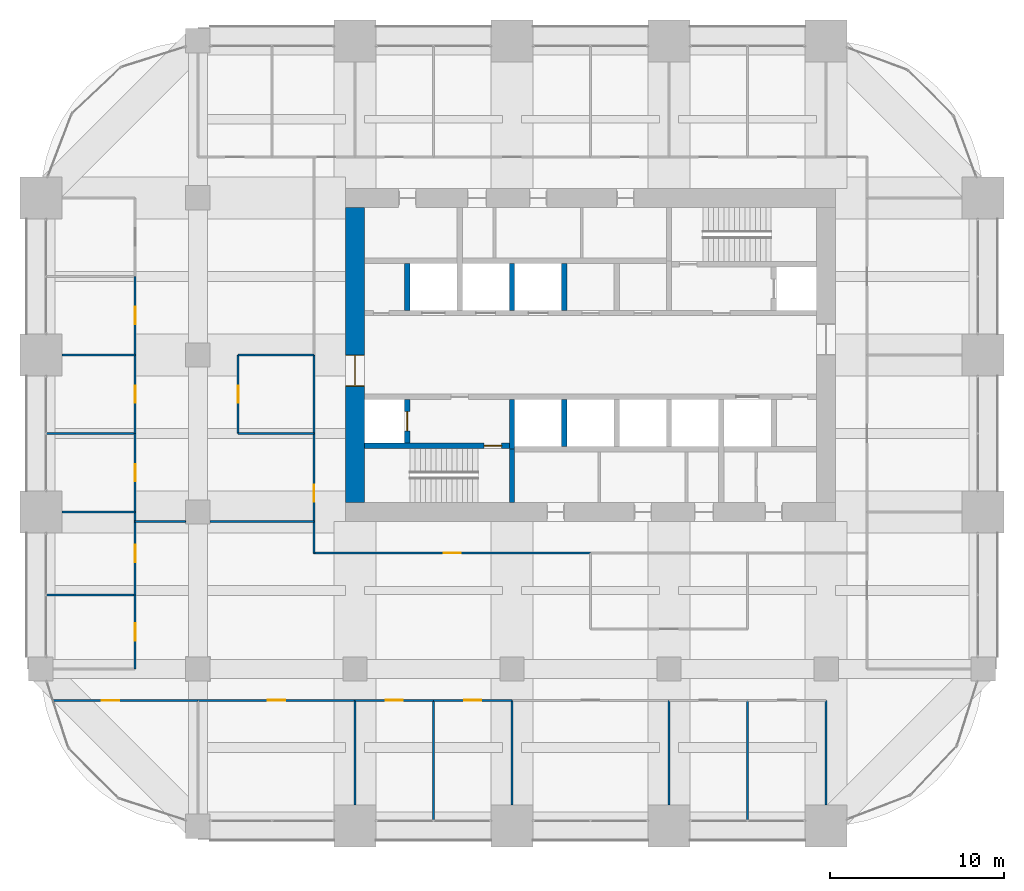
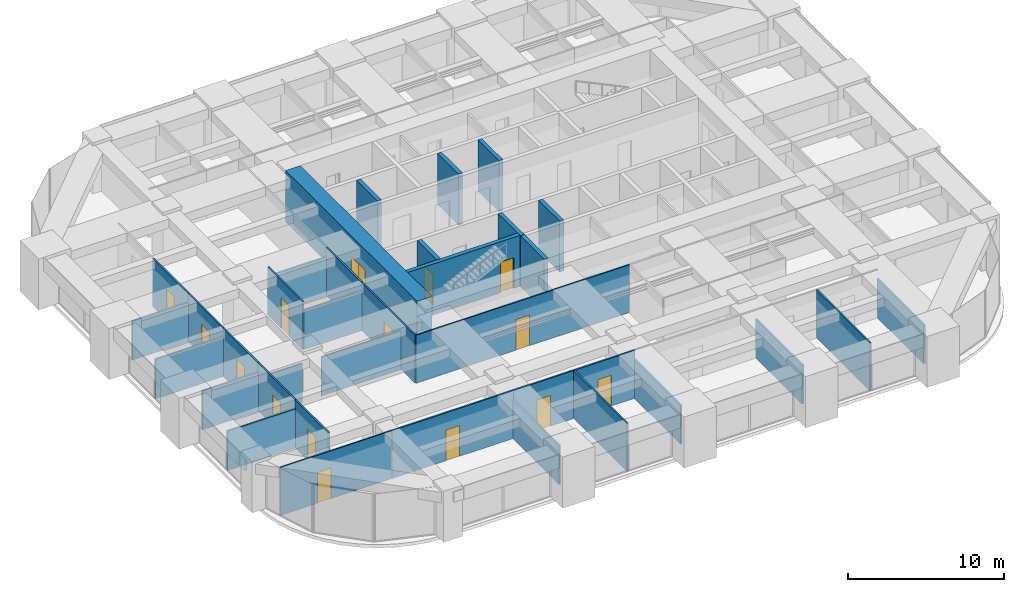
# One storey, part 30 of 35: 36 walls, 15 doors, 15 openings.
"""IFC4 building model written with IfcOpenShell, lengths in metres."""

from ifc_helpers import new_model, si_unit, direction, frame, frame_2d, origin, place, context, subcontext, project, spatial, rectangle, extrude, material, layer, layer_set, type_object, element, fill, save


model = new_model("IFC4")

# Units and contexts
model_context = context("Model", 3, precision=1e-05, world=origin(), true_north=direction((0.0, 1.0)))
body_context = subcontext(model_context, "Body", "Model", "MODEL_VIEW")
ifc_project = project(units=[si_unit("LENGTHUNIT", "METRE"), si_unit("AREAUNIT", "SQUARE_METRE"), si_unit("VOLUMEUNIT", "CUBIC_METRE"), si_unit("PLANEANGLEUNIT", "RADIAN"), si_unit("MASSUNIT", "GRAM", prefix="KILO")], contexts=[model_context])

# Site, building, storey
site_placement = place(None, origin())
site = spatial("IfcSite", under=ifc_project, at=site_placement, CompositionType="ELEMENT")
building_placement = place(site_placement, origin())
building = spatial("IfcBuilding", under=site, at=building_placement, Name="Zorevar Civic Tower", CompositionType="ELEMENT")
storey_placement = place(building_placement, frame((0.0, 0.0, 222.199951171875)))
storey = spatial("IfcBuildingStorey", under=building, at=storey_placement, Name="L54", CompositionType="ELEMENT", Elevation=222.199951171875)

# Wall, opening, door
ifc_material_1 = material(Name="Concrete C50/60", Category="concrete")
ifc_layer_1 = layer(ifc_material_1, 1.10009765625)
ifc_layer_set_1 = layer_set([ifc_layer_1], Name="Core wall 1100")
wall_type_1 = type_object("IfcWallType", Name="Core wall 1100", PredefinedType="SHEAR", material=ifc_layer_set_1)
wall_1_placement = place(storey_placement, frame((18.0, 35.449951171875, 0.0), z_axis=(0.0, 0.0, 1.0), x_axis=(0.0, -1.0, 0.0)))
wall_1 = element("IfcWall", 1, at=wall_1_placement, inside=storey, type_object=wall_type_1, Name="Core wall W L54", PredefinedType="SHEAR", context=body_context, shape_type="SweptSolid", body=[
    extrude(rectangle(XDim=16.89990234375, YDim=1.10009765625, at=frame_2d((8.449951171875, 0.0))), origin(), (0.0, 0.0, 1.0), 4.0),
])
opening_1_placement = place(wall_1_placement, frame((8.449951171875, 0.0, 0.0)))
opening_1 = element("IfcOpeningElement", 2, at=opening_1_placement, cuts=wall_1, Name="Opening L54.01", PredefinedType="OPENING", context=body_context, shape_type="SweptSolid", body=[
    extrude(rectangle(XDim=1.800048828125, YDim=2.39990234375, at=frame_2d((0.89990234375, 1.199951171875))), frame((0.0, 0.56005859375, 0.0), z_axis=(0.0, -1.0, 0.0), x_axis=(1.0, 0.0, 0.0)), (0.0, 0.0, 1.0), 1.1201171875),
])
ifc_material_2 = material(Name="Steel door set", Category="steel")
door_type_1 = type_object("IfcDoorType", Name="Fire door FD2 1800x2400", OperationType="DOUBLE_DOOR_DOUBLE_SWING", PredefinedType="DOOR", material=ifc_material_2)
door_1_placement = place(opening_1_placement, origin())
door_1 = element("IfcDoor", 3, at=door_1_placement, inside=storey, type_object=door_type_1, Name="Door L54 00", OperationType="DOUBLE_DOOR_DOUBLE_SWING", OverallHeight=2.39990234375, OverallWidth=1.800048828125, PredefinedType="DOOR", context=body_context, shape_type="SweptSolid", body=[
    extrude(rectangle(XDim=1.800048828125, YDim=2.39990234375, at=frame_2d((0.89990234375, 1.199951171875))), frame((0.0, 0.030029296875, 0.0), z_axis=(0.0, -1.0, 0.0), x_axis=(1.0, 0.0, 0.0)), (0.0, 0.0, 1.0), 0.06005859375),
    extrude(rectangle(XDim=0.04, YDim=2.39990234375, at=frame_2d((0.02001953125, 1.199951171875))), frame((0.0, 0.5498046875, 0.0), z_axis=(0.0, -1.0, 0.0), x_axis=(1.0, 0.0, 0.0)), (0.0, 0.0, 1.0), 1.099609375),
    extrude(rectangle(XDim=0.04, YDim=2.39990234375, at=frame_2d((1.780029296875, 1.199951171875))), frame((0.0, 0.5498046875, 0.0), z_axis=(0.0, -1.0, 0.0), x_axis=(1.0, 0.0, 0.0)), (0.0, 0.0, 1.0), 1.099609375),
    extrude(rectangle(XDim=1.800048828125, YDim=0.04, at=frame_2d((0.89990234375, 2.3798828125))), frame((0.0, 0.5498046875, 0.0), z_axis=(0.0, -1.0, 0.0), x_axis=(1.0, 0.0, 0.0)), (0.0, 0.0, 1.0), 1.099609375),
])
fill(opening_1, door_1)

ifc_material_3 = material(Name="Laminated glass in black aluminium frame", Category="aluminium")
ifc_layer_2 = layer(ifc_material_3, 0.10009765625)
ifc_layer_set_2 = layer_set([ifc_layer_2], Name="Glazed partition 100")
wall_type_2 = type_object("IfcWallType", Name="Glazed partition 100", PredefinedType="PARTITIONING", material=ifc_layer_set_2)
wall_2_placement = place(storey_placement, frame((0.720458984375, 7.199951171875, 0.0), z_axis=(0.0, 0.0, 1.0), x_axis=(1.0, 0.0, 0.0)))
wall_2 = element("IfcWall", 4, at=wall_2_placement, inside=storey, type_object=wall_type_2, Name="Glazed partition 100 L54", PredefinedType="PARTITIONING", context=body_context, shape_type="SweptSolid", body=[
    extrude(rectangle(XDim=8.279541015625, YDim=0.10009765625, at=frame_2d((4.1396484375, 0.0))), origin(), (0.0, 0.0, 1.0), 3.75),
])
opening_2_placement = place(wall_2_placement, frame((2.779541015625, 0.0, 0.0)))
opening_2 = element("IfcOpeningElement", 5, at=opening_2_placement, cuts=wall_2, Name="Opening L54.23", PredefinedType="OPENING", context=body_context, shape_type="SweptSolid", body=[
    extrude(rectangle(XDim=1.0, YDim=2.39990234375, at=frame_2d((0.5, 1.199951171875))), frame((0.0, 0.06005859375, 0.0), z_axis=(0.0, -1.0, 0.0), x_axis=(1.0, 0.0, 0.0)), (0.0, 0.0, 1.0), 0.1201171875),
])
ifc_material_4 = material(Name="Timber door set", Category="wood")
door_type_2 = type_object("IfcDoorType", Name="Glazed door GD1 1000x2400", OperationType="SINGLE_SWING_LEFT", PredefinedType="DOOR", material=ifc_material_4)
door_2_placement = place(opening_2_placement, origin())
door_2 = element("IfcDoor", 6, at=door_2_placement, inside=storey, type_object=door_type_2, Name="Door L54 D1", OperationType="SINGLE_SWING_RIGHT", OverallHeight=2.39990234375, OverallWidth=1.0, PredefinedType="DOOR", context=body_context, shape_type="SweptSolid", body=[
    extrude(rectangle(XDim=1.0, YDim=2.39990234375, at=frame_2d((0.5, 1.199951171875))), frame((0.0, 0.02001953125, 0.0), z_axis=(0.0, -1.0, 0.0), x_axis=(1.0, 0.0, 0.0)), (0.0, 0.0, 1.0), 0.0400390625),
])
fill(opening_2, door_2)

wall_3_placement = place(storey_placement, frame((15.64990234375, 15.64990234375, 0.0), z_axis=(0.0, 0.0, 1.0), x_axis=(1.0, 0.0, 0.0)))
wall_3 = element("IfcWall", 7, at=wall_3_placement, inside=storey, type_object=wall_type_2, Name="Glazed partition 100 L54", PredefinedType="PARTITIONING", context=body_context, shape_type="SweptSolid", body=[
    extrude(rectangle(XDim=15.85009765625, YDim=0.10009765625, at=frame_2d((7.925048828125, 0.0))), origin(), (0.0, 0.0, 1.0), 3.75),
])
opening_3_placement = place(wall_3_placement, frame((7.425048828125, 0.0, 0.0)))
opening_3 = element("IfcOpeningElement", 8, at=opening_3_placement, cuts=wall_3, Name="Opening L54.25", PredefinedType="OPENING", context=body_context, shape_type="SweptSolid", body=[
    extrude(rectangle(XDim=1.0, YDim=2.39990234375, at=frame_2d((0.5, 1.199951171875))), frame((0.0, 0.06005859375, 0.0), z_axis=(0.0, -1.0, 0.0), x_axis=(1.0, 0.0, 0.0)), (0.0, 0.0, 1.0), 0.1201171875),
])
door_3_placement = place(opening_3_placement, origin())
door_3 = element("IfcDoor", 9, at=door_3_placement, inside=storey, type_object=door_type_2, Name="Door L54 D1", OperationType="SINGLE_SWING_RIGHT", OverallHeight=2.39990234375, OverallWidth=1.0, PredefinedType="DOOR", context=body_context, shape_type="SweptSolid", body=[
    extrude(rectangle(XDim=1.0, YDim=2.39990234375, at=frame_2d((0.5, 1.199951171875))), frame((0.0, 0.02001953125, 0.0), z_axis=(0.0, -1.0, 0.0), x_axis=(1.0, 0.0, 0.0)), (0.0, 0.0, 1.0), 0.0400390625),
])
fill(opening_3, door_3)

# Walls
wall_4_placement = place(storey_placement, frame((5.389892578125, 17.449951171875, 0.0), z_axis=(0.0, 0.0, 1.0), x_axis=(1.0, 0.0, 0.0)))
element("IfcWall", 10, at=wall_4_placement, inside=storey, type_object=wall_type_2, Name="Glazed partition 100 L54", PredefinedType="PARTITIONING", context=body_context, shape_type="SweptSolid", body=[
    extrude(rectangle(XDim=2.91015625, YDim=0.10009765625, at=frame_2d((1.455078125, 0.0))), origin(), (0.0, 0.0, 1.0), 3.050048828125),
])
wall_5_placement = place(storey_placement, frame((9.699951171875, 17.449951171875, 0.0), z_axis=(0.0, 0.0, 1.0), x_axis=(1.0, 0.0, 0.0)))
element("IfcWall", 11, at=wall_5_placement, inside=storey, type_object=wall_type_2, Name="Glazed partition 100 L54", PredefinedType="PARTITIONING", context=body_context, shape_type="SweptSolid", body=[
    extrude(rectangle(XDim=5.949951171875, YDim=0.10009765625, at=frame_2d((2.97509765625, 0.0))), origin(), (0.0, 0.0, 1.0), 3.050048828125),
])

# Wall, opening, door
wall_6_placement = place(storey_placement, frame((15.64990234375, 15.64990234375, 0.0), z_axis=(0.0, 0.0, 1.0), x_axis=(0.0, 1.0, 0.0)))
wall_6 = element("IfcWall", 12, at=wall_6_placement, inside=storey, type_object=wall_type_2, Name="Glazed partition 100 L54", PredefinedType="PARTITIONING", context=body_context, shape_type="SweptSolid", body=[
    extrude(rectangle(XDim=6.85009765625, YDim=0.10009765625, at=frame_2d((3.425048828125, 0.0))), origin(), (0.0, 0.0, 1.0), 3.75),
])
opening_4_placement = place(wall_6_placement, frame((2.925048828125, 0.0, 0.0)))
opening_4 = element("IfcOpeningElement", 13, at=opening_4_placement, cuts=wall_6, Name="Opening L54.41", PredefinedType="OPENING", context=body_context, shape_type="SweptSolid", body=[
    extrude(rectangle(XDim=1.0, YDim=2.39990234375, at=frame_2d((0.5, 1.199951171875))), frame((0.0, 0.06005859375, 0.0), z_axis=(0.0, -1.0, 0.0), x_axis=(1.0, 0.0, 0.0)), (0.0, 0.0, 1.0), 0.1201171875),
])
door_4_placement = place(opening_4_placement, origin())
door_4 = element("IfcDoor", 14, at=door_4_placement, inside=storey, type_object=door_type_2, Name="Door L54 D1", OperationType="SINGLE_SWING_RIGHT", OverallHeight=2.39990234375, OverallWidth=1.0, PredefinedType="DOOR", context=body_context, shape_type="SweptSolid", body=[
    extrude(rectangle(XDim=1.0, YDim=2.39990234375, at=frame_2d((0.5, 1.199951171875))), frame((0.0, 0.02001953125, 0.0), z_axis=(0.0, -1.0, 0.0), x_axis=(1.0, 0.0, 0.0)), (0.0, 0.0, 1.0), 0.0400390625),
])
fill(opening_4, door_4)

ifc_material_5 = material(Name="Concrete C40/50", Category="concrete")
ifc_layer_3 = layer(ifc_material_5, 0.300048828125)
ifc_layer_set_3 = layer_set([ifc_layer_3], Name="Inner core wall 300")
wall_type_3 = type_object("IfcWallType", Name="Inner core wall 300", PredefinedType="SHEAR", material=ifc_layer_set_3)
wall_7_placement = place(storey_placement, frame((18.550048828125, 21.800048828125, 0.0), z_axis=(0.0, 0.0, 1.0), x_axis=(1.0, 0.0, 0.0)))
wall_7 = element("IfcWall", 15, at=wall_7_placement, inside=storey, type_object=wall_type_3, Name="Inner core wall S00 L54", PredefinedType="SHEAR", context=body_context, shape_type="SweptSolid", body=[
    extrude(rectangle(XDim=8.300048828125, YDim=0.300048828125, at=frame_2d((4.14990234375, 0.0))), origin(), (0.0, 0.0, 1.0), 4.0),
])
opening_5_placement = place(wall_7_placement, frame((6.85009765625, 0.0, 0.0)))
opening_5 = element("IfcOpeningElement", 16, at=opening_5_placement, cuts=wall_7, Name="Opening L54.11", PredefinedType="OPENING", context=body_context, shape_type="SweptSolid", body=[
    extrude(rectangle(XDim=1.0, YDim=2.39990234375, at=frame_2d((0.5, 1.199951171875))), frame((0.0, 0.159912109375, 0.0), z_axis=(0.0, -1.0, 0.0), x_axis=(1.0, 0.0, 0.0)), (0.0, 0.0, 1.0), 0.320068359375),
])
ifc_material_6 = material(Name="Steel door set", Category="steel")
door_type_3 = type_object("IfcDoorType", Name="Fire door FD1 1000x2400", OperationType="SINGLE_SWING_LEFT", PredefinedType="DOOR", material=ifc_material_6)
door_5_placement = place(opening_5_placement, origin())
door_5 = element("IfcDoor", 17, at=door_5_placement, inside=storey, type_object=door_type_3, Name="Door L54 10", OperationType="SINGLE_SWING_RIGHT", OverallHeight=2.39990234375, OverallWidth=1.0, PredefinedType="DOOR", context=body_context, shape_type="SweptSolid", body=[
    extrude(rectangle(XDim=1.0, YDim=2.39990234375, at=frame_2d((0.5, 1.199951171875))), frame((0.0, 0.030029296875, 0.0), z_axis=(0.0, -1.0, 0.0), x_axis=(1.0, 0.0, 0.0)), (0.0, 0.0, 1.0), 0.06005859375),
])
fill(opening_5, door_5)

# Wall
wall_8_placement = place(storey_placement, frame((27.0, 18.550048828125, 0.0), z_axis=(0.0, 0.0, 1.0), x_axis=(0.0, 1.0, 0.0)))
element("IfcWall", 18, at=wall_8_placement, inside=storey, type_object=wall_type_3, Name="Inner core wall S01 L54", PredefinedType="SHEAR", context=body_context, shape_type="SweptSolid", body=[
    extrude(rectangle(XDim=3.050048828125, YDim=0.300048828125, at=frame_2d((1.52490234375, 0.0))), origin(), (0.0, 0.0, 1.0), 4.0),
])

# Wall, opening, door
wall_9_placement = place(storey_placement, frame((21.0, 21.949951171875, 0.0), z_axis=(0.0, 0.0, 1.0), x_axis=(0.0, 1.0, 0.0)))
wall_9 = element("IfcWall", 19, at=wall_9_placement, inside=storey, type_object=wall_type_3, Name="Inner core wall S02 L54", PredefinedType="SHEAR", context=body_context, shape_type="SweptSolid", body=[
    extrude(rectangle(XDim=2.5, YDim=0.300048828125, at=frame_2d((1.25, 0.0))), origin(), (0.0, 0.0, 1.0), 4.0),
])
opening_6_placement = place(wall_9_placement, frame((0.699951171875, 0.0, 0.0)))
opening_6 = element("IfcOpeningElement", 20, at=opening_6_placement, cuts=wall_9, Name="Opening L54.FL1", PredefinedType="OPENING", context=body_context, shape_type="SweptSolid", body=[
    extrude(rectangle(XDim=1.10009765625, YDim=2.39990234375, at=frame_2d((0.550048828125, 1.199951171875))), frame((0.0, 0.159912109375, 0.0), z_axis=(0.0, -1.0, 0.0), x_axis=(1.0, 0.0, 0.0)), (0.0, 0.0, 1.0), 0.320068359375),
])
ifc_material_7 = material(Name="Steel door set", Category="steel")
door_type_4 = type_object("IfcDoorType", Name="Firefighting lift landing door LD3 1100x2400", OperationType="DOUBLE_DOOR_SLIDING", PredefinedType="DOOR", material=ifc_material_7)
door_6_placement = place(opening_6_placement, origin())
door_6 = element("IfcDoor", 21, at=door_6_placement, inside=storey, type_object=door_type_4, Name="Landing door FL1 L54", OperationType="DOUBLE_DOOR_SLIDING", OverallHeight=2.39990234375, OverallWidth=1.10009765625, PredefinedType="DOOR", context=body_context, shape_type="SweptSolid", body=[
    extrude(rectangle(XDim=1.10009765625, YDim=2.39990234375, at=frame_2d((0.550048828125, 1.199951171875))), frame((0.0, 0.030029296875, 0.0), z_axis=(0.0, -1.0, 0.0), x_axis=(1.0, 0.0, 0.0)), (0.0, 0.0, 1.0), 0.06005859375),
])
fill(opening_6, door_6)

# Walls
for number, where, z_axis, x_axis, name in (
    (22, (30.0, 21.75, 0.0), (0.0, 0.0, 1.0), (0.0, 1.0, 0.0), "Inner core wall S05 L54"),
    (23, (30.0, 29.550048828125, 0.0), (0.0, 0.0, 1.0), (0.0, 1.0, 0.0), "Inner core wall N06 L54"),
    (24, (27.0, 29.550048828125, 0.0), (0.0, 0.0, 1.0), (0.0, 1.0, 0.0), "Inner core wall N07 L54"),
    (25, (21.0, 29.550048828125, 0.0), (0.0, 0.0, 1.0), (0.0, 1.0, 0.0), "Inner core wall N09 L54"),
):
    element("IfcWall", number, at=place(storey_placement, frame(where, z_axis=z_axis, x_axis=x_axis)), inside=storey, type_object=wall_type_3, Name=name, PredefinedType="SHEAR", context=body_context, shape_type="SweptSolid", body=[
        extrude(rectangle(XDim=2.699951171875, YDim=0.300048828125, at=frame_2d((1.35009765625, 0.0))), origin(), (0.0, 0.0, 1.0), 4.0),
    ])
wall_10_placement = place(storey_placement, frame((27.0, 21.60009765625, 0.0), z_axis=(0.0, 0.0, 1.0), x_axis=(0.0, 1.0, 0.0)))
element("IfcWall", 26, at=wall_10_placement, inside=storey, type_object=wall_type_3, Name="Inner core wall S10 L54", PredefinedType="SHEAR", context=body_context, shape_type="SweptSolid", body=[
    extrude(rectangle(XDim=2.849853515625, YDim=0.300048828125, at=frame_2d((1.4248046875, 0.0))), origin(), (0.0, 0.0, 1.0), 4.0),
])

# Wall, opening, door
ifc_material_8 = material(Name="Gypsum board on steel studs", Category="steel")
ifc_layer_4 = layer(ifc_material_8, 0.1201171875)
ifc_layer_set_4 = layer_set([ifc_layer_4], Name="Partition 120")
wall_type_4 = type_object("IfcWallType", Name="Partition 120", PredefinedType="PARTITIONING", material=ifc_layer_set_4)
wall_11_placement = place(storey_placement, frame((9.0, 7.199951171875, 0.0), z_axis=(0.0, 0.0, 1.0), x_axis=(1.0, 0.0, 0.0)))
wall_11 = element("IfcWall", 27, at=wall_11_placement, inside=storey, type_object=wall_type_4, Name="Partition 120 L54", PredefinedType="PARTITIONING", context=body_context, shape_type="SweptSolid", body=[
    extrude(rectangle(XDim=9.0, YDim=0.1201171875, at=frame_2d((4.5, 0.0))), origin(), (0.0, 0.0, 1.0), 3.75),
])
opening_7_placement = place(wall_11_placement, frame((4.0, 0.0, 0.0)))
opening_7 = element("IfcOpeningElement", 28, at=opening_7_placement, cuts=wall_11, Name="Opening L54.17", PredefinedType="OPENING", context=body_context, shape_type="SweptSolid", body=[
    extrude(rectangle(XDim=1.0, YDim=2.39990234375, at=frame_2d((0.5, 1.199951171875))), frame((0.0, 0.070068359375, 0.0), z_axis=(0.0, -1.0, 0.0), x_axis=(1.0, 0.0, 0.0)), (0.0, 0.0, 1.0), 0.14013671875),
])
ifc_material_9 = material(Name="Timber door set", Category="wood")
door_type_5 = type_object("IfcDoorType", Name="Door D1 1000x2400", OperationType="SINGLE_SWING_LEFT", PredefinedType="DOOR", material=ifc_material_9)
door_7_placement = place(opening_7_placement, origin())
door_7 = element("IfcDoor", 29, at=door_7_placement, inside=storey, type_object=door_type_5, Name="Door L54 D1", OperationType="SINGLE_SWING_RIGHT", OverallHeight=2.39990234375, OverallWidth=1.0, PredefinedType="DOOR", context=body_context, shape_type="SweptSolid", body=[
    extrude(rectangle(XDim=1.0, YDim=2.39990234375, at=frame_2d((0.5, 1.199951171875))), frame((0.0, 0.02490234375, 0.0), z_axis=(0.0, -1.0, 0.0), x_axis=(1.0, 0.0, 0.0)), (0.0, 0.0, 1.0), 0.050048828125),
])
fill(opening_7, door_7)

wall_12_placement = place(storey_placement, frame((18.0, 7.199951171875, 0.0), z_axis=(0.0, 0.0, 1.0), x_axis=(1.0, 0.0, 0.0)))
wall_12 = element("IfcWall", 30, at=wall_12_placement, inside=storey, type_object=wall_type_4, Name="Partition 120 L54", PredefinedType="PARTITIONING", context=body_context, shape_type="SweptSolid", body=[
    extrude(rectangle(XDim=4.5, YDim=0.1201171875, at=frame_2d((2.25, 0.0))), origin(), (0.0, 0.0, 1.0), 3.75),
])
opening_8_placement = place(wall_12_placement, frame((1.75, 0.0, 0.0)))
opening_8 = element("IfcOpeningElement", 31, at=opening_8_placement, cuts=wall_12, Name="Opening L54.18", PredefinedType="OPENING", context=body_context, shape_type="SweptSolid", body=[
    extrude(rectangle(XDim=1.0, YDim=2.39990234375, at=frame_2d((0.5, 1.199951171875))), frame((0.0, 0.070068359375, 0.0), z_axis=(0.0, -1.0, 0.0), x_axis=(1.0, 0.0, 0.0)), (0.0, 0.0, 1.0), 0.14013671875),
])
door_8_placement = place(opening_8_placement, origin())
door_8 = element("IfcDoor", 32, at=door_8_placement, inside=storey, type_object=door_type_5, Name="Door L54 D1", OperationType="SINGLE_SWING_RIGHT", OverallHeight=2.39990234375, OverallWidth=1.0, PredefinedType="DOOR", context=body_context, shape_type="SweptSolid", body=[
    extrude(rectangle(XDim=1.0, YDim=2.39990234375, at=frame_2d((0.5, 1.199951171875))), frame((0.0, 0.02490234375, 0.0), z_axis=(0.0, -1.0, 0.0), x_axis=(1.0, 0.0, 0.0)), (0.0, 0.0, 1.0), 0.050048828125),
])
fill(opening_8, door_8)

wall_13_placement = place(storey_placement, frame((22.5, 7.199951171875, 0.0), z_axis=(0.0, 0.0, 1.0), x_axis=(1.0, 0.0, 0.0)))
wall_13 = element("IfcWall", 33, at=wall_13_placement, inside=storey, type_object=wall_type_4, Name="Partition 120 L54", PredefinedType="PARTITIONING", context=body_context, shape_type="SweptSolid", body=[
    extrude(rectangle(XDim=4.5, YDim=0.1201171875, at=frame_2d((2.25, 0.0))), origin(), (0.0, 0.0, 1.0), 3.75),
])
opening_9_placement = place(wall_13_placement, frame((1.75, 0.0, 0.0)))
opening_9 = element("IfcOpeningElement", 34, at=opening_9_placement, cuts=wall_13, Name="Opening L54.19", PredefinedType="OPENING", context=body_context, shape_type="SweptSolid", body=[
    extrude(rectangle(XDim=1.0, YDim=2.39990234375, at=frame_2d((0.5, 1.199951171875))), frame((0.0, 0.070068359375, 0.0), z_axis=(0.0, -1.0, 0.0), x_axis=(1.0, 0.0, 0.0)), (0.0, 0.0, 1.0), 0.14013671875),
])
door_9_placement = place(opening_9_placement, origin())
door_9 = element("IfcDoor", 35, at=door_9_placement, inside=storey, type_object=door_type_5, Name="Door L54 D1", OperationType="SINGLE_SWING_RIGHT", OverallHeight=2.39990234375, OverallWidth=1.0, PredefinedType="DOOR", context=body_context, shape_type="SweptSolid", body=[
    extrude(rectangle(XDim=1.0, YDim=2.39990234375, at=frame_2d((0.5, 1.199951171875))), frame((0.0, 0.02490234375, 0.0), z_axis=(0.0, -1.0, 0.0), x_axis=(1.0, 0.0, 0.0)), (0.0, 0.0, 1.0), 0.050048828125),
])
fill(opening_9, door_9)

# Walls
wall_14_placement = place(storey_placement, frame((0.31005859375, 13.25, 0.0), z_axis=(0.0, 0.0, 1.0), x_axis=(1.0, 0.0, 0.0)))
element("IfcWall", 36, at=wall_14_placement, inside=storey, type_object=wall_type_4, Name="Partition 120 L54", PredefinedType="PARTITIONING", context=body_context, shape_type="SweptSolid", body=[
    extrude(rectangle(XDim=5.08984375, YDim=0.1201171875, at=frame_2d((2.544921875, 0.0))), origin(), (0.0, 0.0, 1.0), 3.10009765625),
])
wall_15_placement = place(storey_placement, frame((1.199951171875, 18.0, 0.0), z_axis=(0.0, 0.0, 1.0), x_axis=(1.0, 0.0, 0.0)))
element("IfcWall", 37, at=wall_15_placement, inside=storey, type_object=wall_type_4, Name="Partition 120 L54", PredefinedType="PARTITIONING", context=body_context, shape_type="SweptSolid", body=[
    extrude(rectangle(XDim=4.199951171875, YDim=0.1201171875, at=frame_2d((2.10009765625, 0.0))), origin(), (0.0, 0.0, 1.0), 3.050048828125),
])
wall_16_placement = place(storey_placement, frame((0.31005859375, 22.5, 0.0), z_axis=(0.0, 0.0, 1.0), x_axis=(1.0, 0.0, 0.0)))
element("IfcWall", 38, at=wall_16_placement, inside=storey, type_object=wall_type_4, Name="Partition 120 L54", PredefinedType="PARTITIONING", context=body_context, shape_type="SweptSolid", body=[
    extrude(rectangle(XDim=5.08984375, YDim=0.1201171875, at=frame_2d((2.544921875, 0.0))), origin(), (0.0, 0.0, 1.0), 3.10009765625),
])
wall_17_placement = place(storey_placement, frame((11.300048828125, 22.5, 0.0), z_axis=(0.0, 0.0, 1.0), x_axis=(1.0, 0.0, 0.0)))
element("IfcWall", 39, at=wall_17_placement, inside=storey, type_object=wall_type_4, Name="Partition 120 L54", PredefinedType="PARTITIONING", context=body_context, shape_type="SweptSolid", body=[
    extrude(rectangle(XDim=4.349853515625, YDim=0.1201171875, at=frame_2d((2.1748046875, 0.0))), origin(), (0.0, 0.0, 1.0), 3.10009765625),
])
wall_18_placement = place(storey_placement, frame((1.199951171875, 27.0, 0.0), z_axis=(0.0, 0.0, 1.0), x_axis=(1.0, 0.0, 0.0)))
element("IfcWall", 40, at=wall_18_placement, inside=storey, type_object=wall_type_4, Name="Partition 120 L54", PredefinedType="PARTITIONING", context=body_context, shape_type="SweptSolid", body=[
    extrude(rectangle(XDim=4.199951171875, YDim=0.1201171875, at=frame_2d((2.10009765625, 0.0))), origin(), (0.0, 0.0, 1.0), 3.050048828125),
])
wall_19_placement = place(storey_placement, frame((11.300048828125, 27.0, 0.0), z_axis=(0.0, 0.0, 1.0), x_axis=(1.0, 0.0, 0.0)))
element("IfcWall", 41, at=wall_19_placement, inside=storey, type_object=wall_type_4, Name="Partition 120 L54", PredefinedType="PARTITIONING", context=body_context, shape_type="SweptSolid", body=[
    extrude(rectangle(XDim=4.349853515625, YDim=0.1201171875, at=frame_2d((2.1748046875, 0.0))), origin(), (0.0, 0.0, 1.0), 3.050048828125),
])

# Wall, opening, door
wall_20_placement = place(storey_placement, frame((5.39990234375, 9.0, 0.0), z_axis=(0.0, 0.0, 1.0), x_axis=(0.0, 1.0, 0.0)))
wall_20 = element("IfcWall", 42, at=wall_20_placement, inside=storey, type_object=wall_type_4, Name="Partition 120 L54", PredefinedType="PARTITIONING", context=body_context, shape_type="SweptSolid", body=[
    extrude(rectangle(XDim=4.25, YDim=0.1201171875, at=frame_2d((2.125, 0.0))), origin(), (0.0, 0.0, 1.0), 3.75),
])
opening_10_placement = place(wall_20_placement, frame((1.625, 0.0, 0.0)))
opening_10 = element("IfcOpeningElement", 43, at=opening_10_placement, cuts=wall_20, Name="Opening L54.34", PredefinedType="OPENING", context=body_context, shape_type="SweptSolid", body=[
    extrude(rectangle(XDim=1.0, YDim=2.39990234375, at=frame_2d((0.5, 1.199951171875))), frame((0.0, 0.070068359375, 0.0), z_axis=(0.0, -1.0, 0.0), x_axis=(1.0, 0.0, 0.0)), (0.0, 0.0, 1.0), 0.14013671875),
])
door_10_placement = place(opening_10_placement, origin())
door_10 = element("IfcDoor", 44, at=door_10_placement, inside=storey, type_object=door_type_5, Name="Door L54 D1", OperationType="SINGLE_SWING_LEFT", OverallHeight=2.39990234375, OverallWidth=1.0, PredefinedType="DOOR", context=body_context, shape_type="SweptSolid", body=[
    extrude(rectangle(XDim=1.0, YDim=2.39990234375, at=frame_2d((0.5, 1.199951171875))), frame((0.0, 0.02490234375, 0.0), z_axis=(0.0, -1.0, 0.0), x_axis=(1.0, 0.0, 0.0)), (0.0, 0.0, 1.0), 0.050048828125),
])
fill(opening_10, door_10)

wall_21_placement = place(storey_placement, frame((5.39990234375, 13.25, 0.0), z_axis=(0.0, 0.0, 1.0), x_axis=(0.0, 1.0, 0.0)))
wall_21 = element("IfcWall", 45, at=wall_21_placement, inside=storey, type_object=wall_type_4, Name="Partition 120 L54", PredefinedType="PARTITIONING", context=body_context, shape_type="SweptSolid", body=[
    extrude(rectangle(XDim=4.75, YDim=0.1201171875, at=frame_2d((2.375, 0.0))), origin(), (0.0, 0.0, 1.0), 3.75),
])
opening_11_placement = place(wall_21_placement, frame((1.875, 0.0, 0.0)))
opening_11 = element("IfcOpeningElement", 46, at=opening_11_placement, cuts=wall_21, Name="Opening L54.35", PredefinedType="OPENING", context=body_context, shape_type="SweptSolid", body=[
    extrude(rectangle(XDim=1.0, YDim=2.39990234375, at=frame_2d((0.5, 1.199951171875))), frame((0.0, 0.070068359375, 0.0), z_axis=(0.0, -1.0, 0.0), x_axis=(1.0, 0.0, 0.0)), (0.0, 0.0, 1.0), 0.14013671875),
])
door_11_placement = place(opening_11_placement, origin())
door_11 = element("IfcDoor", 47, at=door_11_placement, inside=storey, type_object=door_type_5, Name="Door L54 D1", OperationType="SINGLE_SWING_RIGHT", OverallHeight=2.39990234375, OverallWidth=1.0, PredefinedType="DOOR", context=body_context, shape_type="SweptSolid", body=[
    extrude(rectangle(XDim=1.0, YDim=2.39990234375, at=frame_2d((0.5, 1.199951171875))), frame((0.0, 0.02490234375, 0.0), z_axis=(0.0, -1.0, 0.0), x_axis=(1.0, 0.0, 0.0)), (0.0, 0.0, 1.0), 0.050048828125),
])
fill(opening_11, door_11)

wall_22_placement = place(storey_placement, frame((5.39990234375, 18.0, 0.0), z_axis=(0.0, 0.0, 1.0), x_axis=(0.0, 1.0, 0.0)))
wall_22 = element("IfcWall", 48, at=wall_22_placement, inside=storey, type_object=wall_type_4, Name="Partition 120 L54", PredefinedType="PARTITIONING", context=body_context, shape_type="SweptSolid", body=[
    extrude(rectangle(XDim=4.5, YDim=0.1201171875, at=frame_2d((2.25, 0.0))), origin(), (0.0, 0.0, 1.0), 3.75),
])
opening_12_placement = place(wall_22_placement, frame((1.75, 0.0, 0.0)))
opening_12 = element("IfcOpeningElement", 49, at=opening_12_placement, cuts=wall_22, Name="Opening L54.36", PredefinedType="OPENING", context=body_context, shape_type="SweptSolid", body=[
    extrude(rectangle(XDim=1.0, YDim=2.39990234375, at=frame_2d((0.5, 1.199951171875))), frame((0.0, 0.070068359375, 0.0), z_axis=(0.0, -1.0, 0.0), x_axis=(1.0, 0.0, 0.0)), (0.0, 0.0, 1.0), 0.14013671875),
])
door_12_placement = place(opening_12_placement, origin())
door_12 = element("IfcDoor", 50, at=door_12_placement, inside=storey, type_object=door_type_5, Name="Door L54 D1", OperationType="SINGLE_SWING_LEFT", OverallHeight=2.39990234375, OverallWidth=1.0, PredefinedType="DOOR", context=body_context, shape_type="SweptSolid", body=[
    extrude(rectangle(XDim=1.0, YDim=2.39990234375, at=frame_2d((0.5, 1.199951171875))), frame((0.0, 0.02490234375, 0.0), z_axis=(0.0, -1.0, 0.0), x_axis=(1.0, 0.0, 0.0)), (0.0, 0.0, 1.0), 0.050048828125),
])
fill(opening_12, door_12)

wall_23_placement = place(storey_placement, frame((5.39990234375, 22.5, 0.0), z_axis=(0.0, 0.0, 1.0), x_axis=(0.0, 1.0, 0.0)))
wall_23 = element("IfcWall", 51, at=wall_23_placement, inside=storey, type_object=wall_type_4, Name="Partition 120 L54", PredefinedType="PARTITIONING", context=body_context, shape_type="SweptSolid", body=[
    extrude(rectangle(XDim=4.5, YDim=0.1201171875, at=frame_2d((2.25, 0.0))), origin(), (0.0, 0.0, 1.0), 3.75),
])
opening_13_placement = place(wall_23_placement, frame((1.75, 0.0, 0.0)))
opening_13 = element("IfcOpeningElement", 52, at=opening_13_placement, cuts=wall_23, Name="Opening L54.37", PredefinedType="OPENING", context=body_context, shape_type="SweptSolid", body=[
    extrude(rectangle(XDim=1.0, YDim=2.39990234375, at=frame_2d((0.5, 1.199951171875))), frame((0.0, 0.070068359375, 0.0), z_axis=(0.0, -1.0, 0.0), x_axis=(1.0, 0.0, 0.0)), (0.0, 0.0, 1.0), 0.14013671875),
])
door_13_placement = place(opening_13_placement, origin())
door_13 = element("IfcDoor", 53, at=door_13_placement, inside=storey, type_object=door_type_5, Name="Door L54 D1", OperationType="SINGLE_SWING_LEFT", OverallHeight=2.39990234375, OverallWidth=1.0, PredefinedType="DOOR", context=body_context, shape_type="SweptSolid", body=[
    extrude(rectangle(XDim=1.0, YDim=2.39990234375, at=frame_2d((0.5, 1.199951171875))), frame((0.0, 0.02490234375, 0.0), z_axis=(0.0, -1.0, 0.0), x_axis=(1.0, 0.0, 0.0)), (0.0, 0.0, 1.0), 0.050048828125),
])
fill(opening_13, door_13)

wall_24_placement = place(storey_placement, frame((5.39990234375, 27.0, 0.0), z_axis=(0.0, 0.0, 1.0), x_axis=(0.0, 1.0, 0.0)))
wall_24 = element("IfcWall", 54, at=wall_24_placement, inside=storey, type_object=wall_type_4, Name="Partition 120 L54", PredefinedType="PARTITIONING", context=body_context, shape_type="SweptSolid", body=[
    extrude(rectangle(XDim=4.5, YDim=0.1201171875, at=frame_2d((2.25, 0.0))), origin(), (0.0, 0.0, 1.0), 3.75),
])
opening_14_placement = place(wall_24_placement, frame((1.75, 0.0, 0.0)))
opening_14 = element("IfcOpeningElement", 55, at=opening_14_placement, cuts=wall_24, Name="Opening L54.38", PredefinedType="OPENING", context=body_context, shape_type="SweptSolid", body=[
    extrude(rectangle(XDim=1.0, YDim=2.39990234375, at=frame_2d((0.5, 1.199951171875))), frame((0.0, 0.070068359375, 0.0), z_axis=(0.0, -1.0, 0.0), x_axis=(1.0, 0.0, 0.0)), (0.0, 0.0, 1.0), 0.14013671875),
])
door_14_placement = place(opening_14_placement, origin())
door_14 = element("IfcDoor", 56, at=door_14_placement, inside=storey, type_object=door_type_5, Name="Door L54 D1", OperationType="SINGLE_SWING_LEFT", OverallHeight=2.39990234375, OverallWidth=1.0, PredefinedType="DOOR", context=body_context, shape_type="SweptSolid", body=[
    extrude(rectangle(XDim=1.0, YDim=2.39990234375, at=frame_2d((0.5, 1.199951171875))), frame((0.0, 0.02490234375, 0.0), z_axis=(0.0, -1.0, 0.0), x_axis=(1.0, 0.0, 0.0)), (0.0, 0.0, 1.0), 0.050048828125),
])
fill(opening_14, door_14)

wall_25_placement = place(storey_placement, frame((11.300048828125, 22.5, 0.0), z_axis=(0.0, 0.0, 1.0), x_axis=(0.0, 1.0, 0.0)))
wall_25 = element("IfcWall", 57, at=wall_25_placement, inside=storey, type_object=wall_type_4, Name="Partition 120 L54", PredefinedType="PARTITIONING", context=body_context, shape_type="SweptSolid", body=[
    extrude(rectangle(XDim=4.5, YDim=0.1201171875, at=frame_2d((2.25, 0.0))), origin(), (0.0, 0.0, 1.0), 3.75),
])
opening_15_placement = place(wall_25_placement, frame((1.75, 0.0, 0.0)))
opening_15 = element("IfcOpeningElement", 58, at=opening_15_placement, cuts=wall_25, Name="Opening L54.40", PredefinedType="OPENING", context=body_context, shape_type="SweptSolid", body=[
    extrude(rectangle(XDim=1.0, YDim=2.39990234375, at=frame_2d((0.5, 1.199951171875))), frame((0.0, 0.070068359375, 0.0), z_axis=(0.0, -1.0, 0.0), x_axis=(1.0, 0.0, 0.0)), (0.0, 0.0, 1.0), 0.14013671875),
])
door_15_placement = place(opening_15_placement, origin())
door_15 = element("IfcDoor", 59, at=door_15_placement, inside=storey, type_object=door_type_5, Name="Door L54 D1", OperationType="SINGLE_SWING_RIGHT", OverallHeight=2.39990234375, OverallWidth=1.0, PredefinedType="DOOR", context=body_context, shape_type="SweptSolid", body=[
    extrude(rectangle(XDim=1.0, YDim=2.39990234375, at=frame_2d((0.5, 1.199951171875))), frame((0.0, 0.02490234375, 0.0), z_axis=(0.0, -1.0, 0.0), x_axis=(1.0, 0.0, 0.0)), (0.0, 0.0, 1.0), 0.050048828125),
])
fill(opening_15, door_15)

# Walls
wall_26_placement = place(storey_placement, frame((15.64990234375, 22.5, 0.0), z_axis=(0.0, 0.0, 1.0), x_axis=(0.0, 1.0, 0.0)))
element("IfcWall", 60, at=wall_26_placement, inside=storey, type_object=wall_type_4, Name="Partition 120 L54", PredefinedType="PARTITIONING", context=body_context, shape_type="SweptSolid", body=[
    extrude(rectangle(XDim=4.5, YDim=0.1201171875, at=frame_2d((2.25, 0.0))), origin(), (0.0, 0.0, 1.0), 3.75),
])
wall_27_placement = place(storey_placement, frame((18.0, 1.199951171875, 0.0), z_axis=(0.0, 0.0, 1.0), x_axis=(0.0, 1.0, 0.0)))
element("IfcWall", 61, at=wall_27_placement, inside=storey, type_object=wall_type_4, Name="Partition 120 L54", PredefinedType="PARTITIONING", context=body_context, shape_type="SweptSolid", body=[
    extrude(rectangle(XDim=6.0, YDim=0.1201171875, at=frame_2d((3.0, 0.0))), origin(), (0.0, 0.0, 1.0), 3.050048828125),
])
wall_28_placement = place(storey_placement, frame((22.5, 0.31005859375, 0.0), z_axis=(0.0, 0.0, 1.0), x_axis=(0.0, 1.0, 0.0)))
element("IfcWall", 62, at=wall_28_placement, inside=storey, type_object=wall_type_4, Name="Partition 120 L54", PredefinedType="PARTITIONING", context=body_context, shape_type="SweptSolid", body=[
    extrude(rectangle(XDim=6.889892578125, YDim=0.1201171875, at=frame_2d((3.44482421875, 0.0))), origin(), (0.0, 0.0, 1.0), 3.75),
])
for number, where, z_axis, x_axis, name in (
    (63, (27.0, 1.199951171875, 0.0), (0.0, 0.0, 1.0), (0.0, 1.0, 0.0), "Partition 120 L54"),
    (64, (36.0, 1.199951171875, 0.0), (0.0, 0.0, 1.0), (0.0, 1.0, 0.0), "Partition 120 L54"),
):
    element("IfcWall", number, at=place(storey_placement, frame(where, z_axis=z_axis, x_axis=x_axis)), inside=storey, type_object=wall_type_4, Name=name, PredefinedType="PARTITIONING", context=body_context, shape_type="SweptSolid", body=[
        extrude(rectangle(XDim=6.0, YDim=0.1201171875, at=frame_2d((3.0, 0.0))), origin(), (0.0, 0.0, 1.0), 3.050048828125),
    ])
wall_29_placement = place(storey_placement, frame((40.5, 0.31005859375, 0.0), z_axis=(0.0, 0.0, 1.0), x_axis=(0.0, 1.0, 0.0)))
element("IfcWall", 65, at=wall_29_placement, inside=storey, type_object=wall_type_4, Name="Partition 120 L54", PredefinedType="PARTITIONING", context=body_context, shape_type="SweptSolid", body=[
    extrude(rectangle(XDim=6.889892578125, YDim=0.1201171875, at=frame_2d((3.44482421875, 0.0))), origin(), (0.0, 0.0, 1.0), 3.75),
])
wall_30_placement = place(storey_placement, frame((45.0, 1.199951171875, 0.0), z_axis=(0.0, 0.0, 1.0), x_axis=(0.0, 1.0, 0.0)))
element("IfcWall", 66, at=wall_30_placement, inside=storey, type_object=wall_type_4, Name="Partition 120 L54", PredefinedType="PARTITIONING", context=body_context, shape_type="SweptSolid", body=[
    extrude(rectangle(XDim=6.0, YDim=0.1201171875, at=frame_2d((3.0, 0.0))), origin(), (0.0, 0.0, 1.0), 3.050048828125),
])

save(model, "model.ifc")
